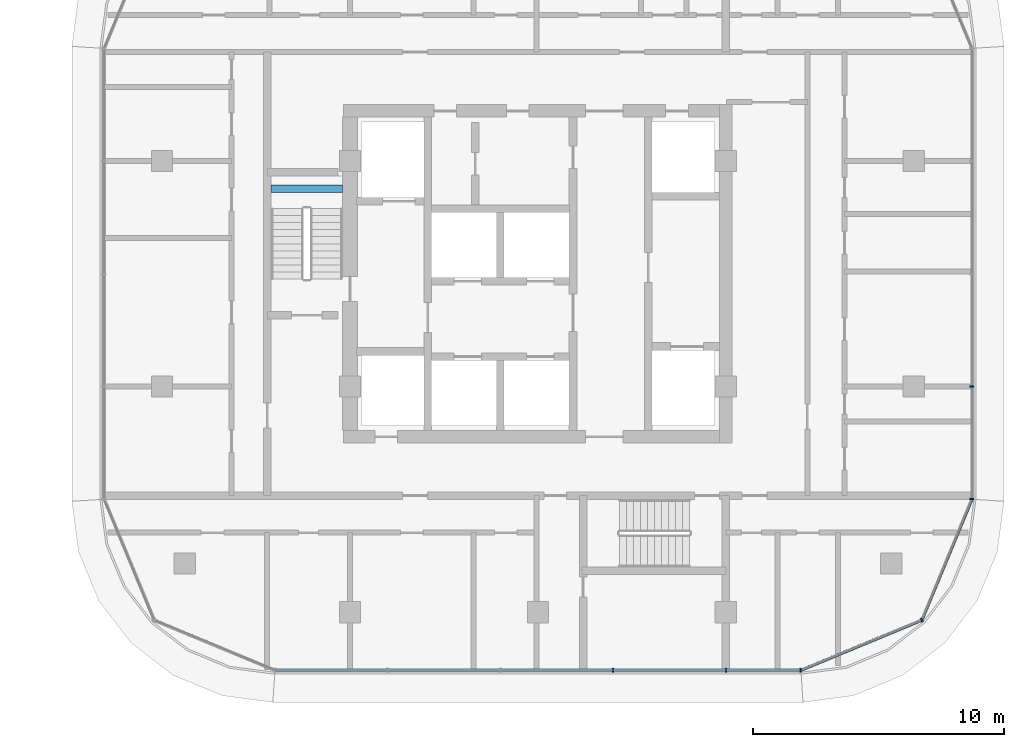
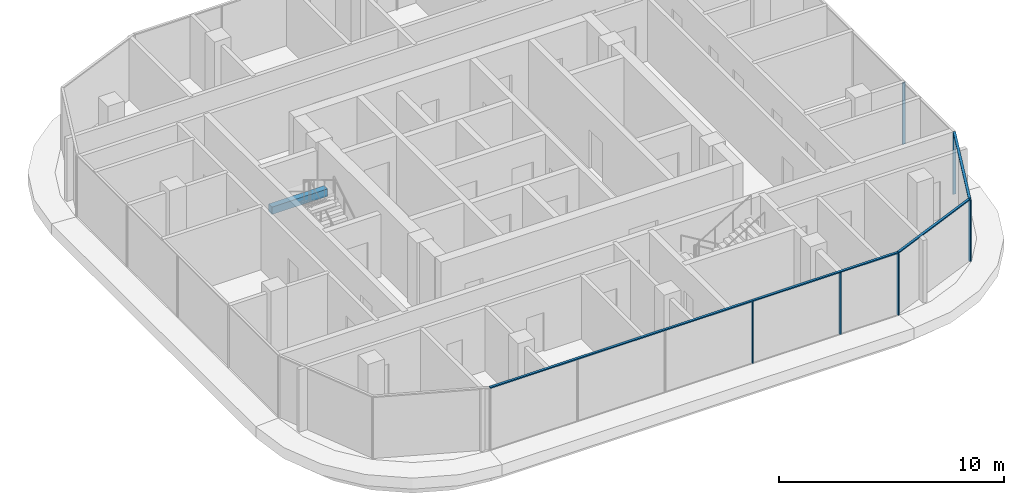
# One storey, part 12 of 36: 9 members, 1 beam, 3 elements without a shape of their own.
"""IFC4 building model written with IfcOpenShell, lengths in metres."""

from ifc_helpers import new_model, si_unit, direction, frame, origin, origin_2d, place, context, subcontext, project, spatial, rectangle, extrude, material, material_profile, profile_set, type_object, element, aggregate, save


model = new_model("IFC4")

# Units and contexts
model_context = context("Model", 3, precision=1e-05, world=origin(), true_north=direction((0.0, 1.0)))
body_context = subcontext(model_context, "Body", "Model", "MODEL_VIEW")
ifc_project = project(units=[si_unit("LENGTHUNIT", "METRE"), si_unit("AREAUNIT", "SQUARE_METRE"), si_unit("VOLUMEUNIT", "CUBIC_METRE"), si_unit("PLANEANGLEUNIT", "RADIAN"), si_unit("MASSUNIT", "GRAM", prefix="KILO")], contexts=[model_context])

# Site, building, storey
site_placement = place(None, origin())
site = spatial("IfcSite", under=ifc_project, at=site_placement, CompositionType="ELEMENT")
building_placement = place(site_placement, origin())
building = spatial("IfcBuilding", under=site, at=building_placement, Name="Ogive Portal Towers", CompositionType="ELEMENT")
storey_placement = place(building_placement, frame((0.0, 0.0, 63.10009765625)))
storey = spatial("IfcBuildingStorey", under=building, at=storey_placement, Name="L14", CompositionType="ELEMENT", Elevation=63.10009765625)

# Beam
ifc_material_1 = material(Name="Concrete C40/50", Category="concrete")
ifc_material_profile_1 = material_profile(ifc_material_1, rectangle(XDim=0.300048828125, YDim=0.39990234375, at=origin_2d()), Name="RC 300x400")
ifc_profile_set_1 = profile_set([ifc_material_profile_1], Name="Concrete C40/50")
beam_type = type_object("IfcBeamType", Name="BEAM RC 300x400", PredefinedType="BEAM", material=ifc_profile_set_1)
beam_placement = place(storey_placement, frame((125.85009765625, 34.39990234375, 1.449951171875), z_axis=(1.0, 0.0, 0.0), x_axis=(0.0, 1.0, 0.0)))
element("IfcBeam", 1, at=beam_placement, inside=storey, type_object=beam_type, Name="Landing beam L14", PredefinedType="BEAM", context=body_context, shape_type="SweptSolid", body=[
    extrude(rectangle(XDim=0.300048828125, YDim=0.39990234375, at=origin_2d()), origin(), (0.0, 0.0, 1.0), 2.849853515625),
])

# Curtain wall, members
ifc_material_2 = material(Name="Glass, clear low-iron insulated glazing", Category="glass")
curtain_wall_type = type_object("IfcCurtainWallType", Name="CW RESIDENCES RIBBON", PredefinedType="NOTDEFINED", material=ifc_material_2)
curtain_wall_1_placement = place(storey_placement, origin())
curtain_wall_1 = element("IfcCurtainWall", 2, at=curtain_wall_1_placement, inside=storey, type_object=curtain_wall_type, Name="B:L14:f02:cw0", PredefinedType="NOTDEFINED")
ifc_material_3 = material(Name="Aluminium 6063 anodised", Category="aluminium")
ifc_material_profile_2 = material_profile(ifc_material_3, rectangle(XDim=0.159912109375, YDim=0.06005859375, at=origin_2d()), Name="AL 60x160")
ifc_profile_set_2 = profile_set([ifc_material_profile_2], Name="Aluminium 6063 anodised")
member_type_1 = type_object("IfcMemberType", Name="CW MULLION 60x160", PredefinedType="MULLION", material=ifc_profile_set_2)
member_1_placement = place(storey_placement, frame((139.5, 15.179931640625, 0.0), z_axis=(0.0, 0.0, 1.0), x_axis=(0.0, 1.0, 0.0)))
member_1 = element("IfcMember", 3, at=member_1_placement, type_object=member_type_1, Name="mullion", PredefinedType="MULLION", context=body_context, shape_type="SweptSolid", body=[
    extrude(rectangle(XDim=0.159912109375, YDim=0.06005859375, at=origin_2d()), origin(), (0.0, 0.0, 1.0), 3.33984375),
])
member_2_placement = place(storey_placement, frame((144.0, 15.179931640625, 0.0), z_axis=(0.0, 0.0, 1.0), x_axis=(0.0, 1.0, 0.0)))
member_2 = element("IfcMember", 4, at=member_2_placement, type_object=member_type_1, Name="mullion", PredefinedType="MULLION", context=body_context, shape_type="SweptSolid", body=[
    extrude(rectangle(XDim=0.159912109375, YDim=0.06005859375, at=origin_2d()), origin(), (0.0, 0.0, 1.0), 3.33984375),
])
member_3_placement = place(storey_placement, frame((146.984130859375, 15.179931640625, 0.0), z_axis=(0.0, 0.0, 1.0), x_axis=(0.0, 1.0, 0.0)))
member_3 = element("IfcMember", 5, at=member_3_placement, type_object=member_type_1, Name="mullion", PredefinedType="MULLION", context=body_context, shape_type="SweptSolid", body=[
    extrude(rectangle(XDim=0.159912109375, YDim=0.06005859375, at=origin_2d()), origin(), (0.0, 0.0, 1.0), 3.33984375),
])

curtain_wall_2_placement = place(storey_placement, origin())
curtain_wall_2 = element("IfcCurtainWall", 6, at=curtain_wall_2_placement, inside=storey, type_object=curtain_wall_type, Name="B:L14:f05:cw0", PredefinedType="NOTDEFINED")
member_4_placement = place(storey_placement, frame((153.820068359375, 22.015869140625, 0.0), z_axis=(0.0, 0.0, 1.0), x_axis=(-1.0, 0.0, 0.0)))
member_4 = element("IfcMember", 7, at=member_4_placement, type_object=member_type_1, Name="mullion", PredefinedType="MULLION", context=body_context, shape_type="SweptSolid", body=[
    extrude(rectangle(XDim=0.159912109375, YDim=0.06005859375, at=origin_2d()), origin(), (0.0, 0.0, 1.0), 3.33984375),
])
member_5_placement = place(storey_placement, frame((153.820068359375, 26.5, 0.0), z_axis=(0.0, 0.0, 1.0), x_axis=(-1.0, 0.0, 0.0)))
member_5 = element("IfcMember", 8, at=member_5_placement, type_object=member_type_1, Name="mullion", PredefinedType="MULLION", context=body_context, shape_type="SweptSolid", body=[
    extrude(rectangle(XDim=0.159912109375, YDim=0.06005859375, at=origin_2d()), origin(), (0.0, 0.0, 1.0), 3.33984375),
])
aggregate(curtain_wall_2, [member_4, member_5])

# Curtain wall, member
curtain_wall_3_placement = place(storey_placement, origin())
curtain_wall_3 = element("IfcCurtainWall", 9, at=curtain_wall_3_placement, inside=storey, type_object=curtain_wall_type, Name="B:L14:f03:cwa", PredefinedType="NOTDEFINED")
member_6_placement = place(storey_placement, frame((151.81787109375, 17.18212890625, 0.0), z_axis=(0.0, 0.0, 1.0), x_axis=(-0.382683432365, 0.923879532511, 0.0)))
member_6 = element("IfcMember", 10, at=member_6_placement, type_object=member_type_1, Name="mullion", PredefinedType="MULLION", context=body_context, shape_type="SweptSolid", body=[
    extrude(rectangle(XDim=0.159912109375, YDim=0.06005859375, at=origin_2d()), origin(), (0.0, 0.0, 1.0), 3.33984375),
])

# Member
ifc_material_profile_3 = material_profile(ifc_material_3, rectangle(XDim=0.1201171875, YDim=0.06005859375, at=origin_2d()), Name="AL 120x60")
ifc_profile_set_3 = profile_set([ifc_material_profile_3], Name="Aluminium 6063 anodised")
member_type_2 = type_object("IfcMemberType", Name="CW TRANSOM 60x120", PredefinedType="USERDEFINED", material=ifc_profile_set_3)
member_7_placement = place(storey_placement, frame((126.015869140625, 15.179931640625, 3.369873046875), z_axis=(1.0, 0.0, 0.0), x_axis=(0.0, 1.0, 0.0)))
member_7 = element("IfcMember", 11, at=member_7_placement, type_object=member_type_2, Name="transom", ObjectType="TRANSOM", PredefinedType="USERDEFINED", context=body_context, shape_type="SweptSolid", body=[
    extrude(rectangle(XDim=0.1201171875, YDim=0.06005859375, at=origin_2d()), origin(), (0.0, 0.0, 1.0), 20.96826171875),
])

aggregate(curtain_wall_1, [member_7, member_1, member_2, member_3])

member_8_placement = place(storey_placement, frame((146.984130859375, 15.179931640625, 3.369873046875), z_axis=(0.923879768784, 0.382682861952, 0.0), x_axis=(-0.382682861952, 0.923879768784, 0.0)))
member_8 = element("IfcMember", 12, at=member_8_placement, type_object=member_type_2, Name="transom", ObjectType="TRANSOM", PredefinedType="USERDEFINED", context=body_context, shape_type="SweptSolid", body=[
    extrude(rectangle(XDim=0.1201171875, YDim=0.06005859375, at=origin_2d()), origin(), (0.0, 0.0, 1.0), 5.23193359375),
])

member_9_placement = place(storey_placement, frame((151.81787109375, 17.18212890625, 3.369873046875), z_axis=(0.382682861952, 0.923879768784, 0.0), x_axis=(-0.923879768784, 0.382682861952, 0.0)))
member_9 = element("IfcMember", 13, at=member_9_placement, type_object=member_type_2, Name="transom", ObjectType="TRANSOM", PredefinedType="USERDEFINED", context=body_context, shape_type="SweptSolid", body=[
    extrude(rectangle(XDim=0.1201171875, YDim=0.06005859375, at=origin_2d()), origin(), (0.0, 0.0, 1.0), 5.23193359375),
])

aggregate(curtain_wall_3, [member_8, member_9, member_6])

save(model, "model.ifc")
